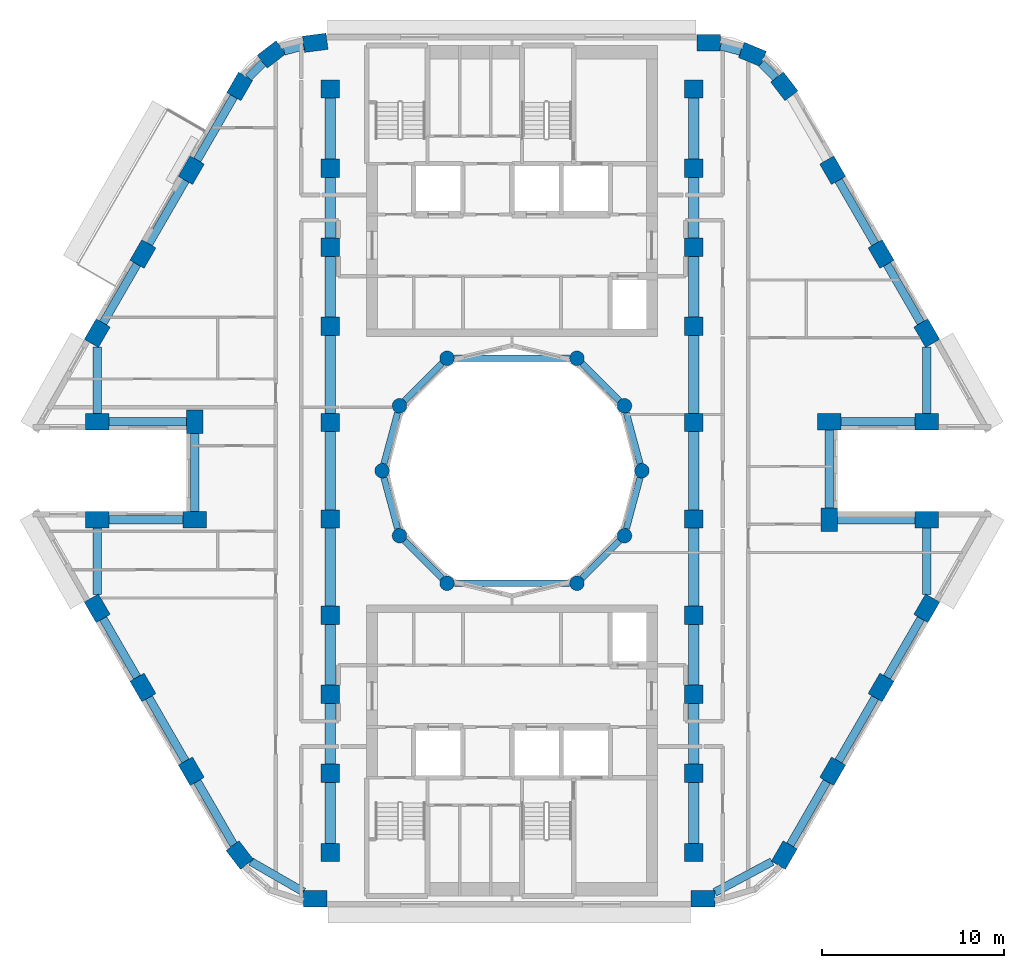
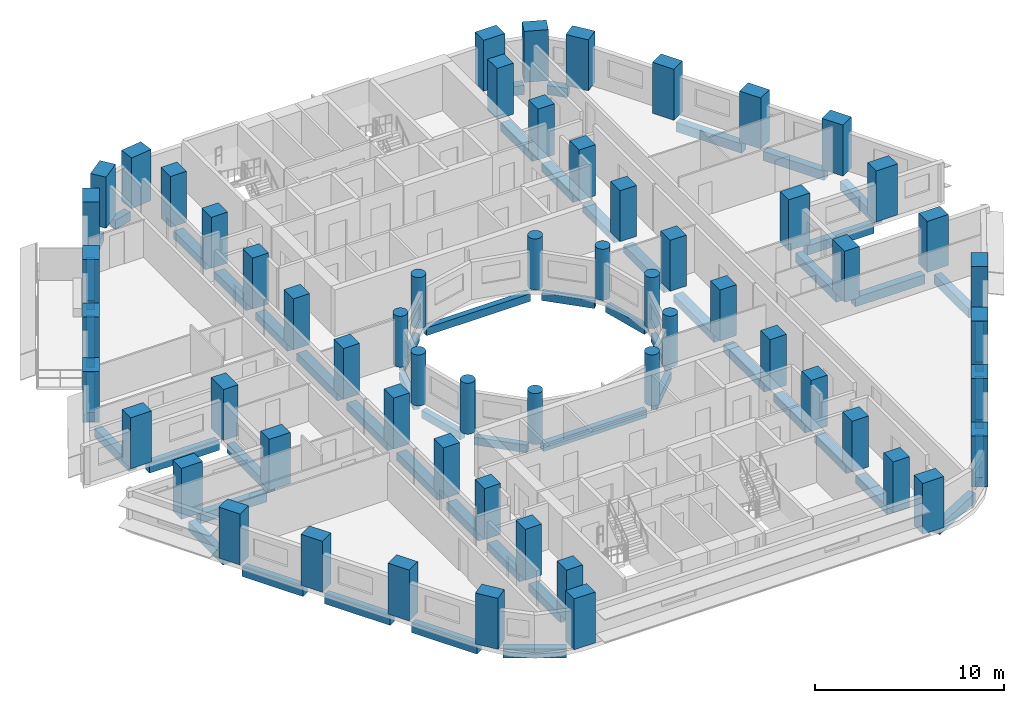
# One storey, part 1 of 13: 60 columns, 55 beams.
"""IFC4 building model written with IfcOpenShell, lengths in metres."""

from ifc_helpers import new_model, si_unit, direction, frame, origin, origin_2d, place, context, subcontext, project, spatial, rectangle, circle, extrude, material, material_profile, profile_set, type_object, element, save


model = new_model("IFC4")

# Units and contexts
model_context = context("Model", 3, precision=1e-05, world=origin(), true_north=direction((0.0, 1.0)))
body_context = subcontext(model_context, "Body", "Model", "MODEL_VIEW")
ifc_project = project(units=[si_unit("LENGTHUNIT", "METRE"), si_unit("AREAUNIT", "SQUARE_METRE"), si_unit("VOLUMEUNIT", "CUBIC_METRE"), si_unit("PLANEANGLEUNIT", "RADIAN"), si_unit("MASSUNIT", "GRAM", prefix="KILO")], contexts=[model_context])

# Site, building, storey
site_placement = place(None, origin())
site = spatial("IfcSite", under=ifc_project, at=site_placement, CompositionType="ELEMENT")
building_placement = place(site_placement, origin())
building = spatial("IfcBuilding", under=site, at=building_placement, Name="Nakaniwa Court", CompositionType="ELEMENT")
storey_placement = place(building_placement, frame((0.0, 0.0, 143.699951171875)))
storey = spatial("IfcBuildingStorey", under=building, at=storey_placement, Name="L37", CompositionType="ELEMENT", Elevation=143.699951171875)

# Columns
ifc_material = material(Name="Concrete C80/100", Category="concrete")
ifc_material_profile_1 = material_profile(ifc_material, rectangle(XDim=1.0, YDim=1.0, at=origin_2d()), Name="Concrete C80/100 RC 1000x1000 spine column")
ifc_profile_set_1 = profile_set([ifc_material_profile_1], Name="Concrete C80/100")
column_type_1 = type_object("IfcColumnType", Name="Concrete C80/100 RC 1000x1000 spine column", PredefinedType="COLUMN", material=ifc_profile_set_1)
for number, where, z_axis, x_axis, name in (
    (1, (90.0, 59.0, 0.0), (0.0, 0.0, 1.0), (0.0, 1.0, 0.0), "COLUMN CS-01"),
    (2, (90.0, 63.35009765625, 0.0), (0.0, 0.0, 1.0), (0.0, 1.0, 0.0), "COLUMN CS-02"),
    (3, (90.0, 67.699951171875, 0.0), (0.0, 0.0, 1.0), (0.0, 1.0, 0.0), "COLUMN CS-03"),
    (4, (90.0, 72.050048828125, 0.0), (0.0, 0.0, 1.0), (0.0, 1.0, 0.0), "COLUMN CS-04"),
    (5, (90.0, 77.35009765625, 0.0), (0.0, 0.0, 1.0), (0.0, 1.0, 0.0), "COLUMN CS-05"),
    (6, (90.0, 82.64990234375, 0.0), (0.0, 0.0, 1.0), (0.0, 1.0, 0.0), "COLUMN CS-06"),
    (7, (90.0, 87.949951171875, 0.0), (0.0, 0.0, 1.0), (0.0, 1.0, 0.0), "COLUMN CS-07"),
    (8, (90.0, 92.300048828125, 0.0), (0.0, 0.0, 1.0), (0.0, 1.0, 0.0), "COLUMN CS-08"),
    (9, (90.0, 96.64990234375, 0.0), (0.0, 0.0, 1.0), (0.0, 1.0, 0.0), "COLUMN CS-09"),
    (10, (90.0, 101.0, 0.0), (0.0, 0.0, 1.0), (0.0, 1.0, 0.0), "COLUMN CS-10"),
    (11, (70.0, 101.0, 0.0), (0.0, 0.0, 1.0), (0.0, -1.0, 0.0), "COLUMN CS-11"),
    (12, (70.0, 96.64990234375, 0.0), (0.0, 0.0, 1.0), (0.0, -1.0, 0.0), "COLUMN CS-12"),
    (13, (70.0, 92.300048828125, 0.0), (0.0, 0.0, 1.0), (0.0, -1.0, 0.0), "COLUMN CS-13"),
    (14, (70.0, 87.949951171875, 0.0), (0.0, 0.0, 1.0), (0.0, -1.0, 0.0), "COLUMN CS-14"),
    (15, (70.0, 82.64990234375, 0.0), (0.0, 0.0, 1.0), (0.0, -1.0, 0.0), "COLUMN CS-15"),
    (16, (70.0, 77.35009765625, 0.0), (0.0, 0.0, 1.0), (0.0, -1.0, 0.0), "COLUMN CS-16"),
    (17, (70.0, 72.050048828125, 0.0), (0.0, 0.0, 1.0), (0.0, -1.0, 0.0), "COLUMN CS-17"),
    (18, (70.0, 67.699951171875, 0.0), (0.0, 0.0, 1.0), (0.0, -1.0, 0.0), "COLUMN CS-18"),
    (19, (70.0, 63.35009765625, 0.0), (0.0, 0.0, 1.0), (0.0, -1.0, 0.0), "COLUMN CS-19"),
    (20, (70.0, 59.0, 0.0), (0.0, 0.0, 1.0), (0.0, -1.0, 0.0), "COLUMN CS-20"),
):
    element("IfcColumn", number, at=place(storey_placement, frame(where, z_axis=z_axis, x_axis=x_axis)), inside=storey, type_object=column_type_1, Name=name, PredefinedType="COLUMN", context=body_context, shape_type="SweptSolid", body=[
        extrude(rectangle(XDim=1.0, YDim=1.0, at=origin_2d()), origin(), (0.0, 0.0, 1.0), 3.300048828125),
    ])
ifc_material_profile_2 = material_profile(ifc_material, rectangle(XDim=1.300048828125, YDim=0.89990234375, at=origin_2d()), Name="Concrete C80/100 RC 1300x900 perimeter column")
ifc_profile_set_2 = profile_set([ifc_material_profile_2], Name="Concrete C80/100")
column_type_2 = type_object("IfcColumnType", Name="Concrete C80/100 RC 1300x900 perimeter column", PredefinedType="COLUMN", material=ifc_profile_set_2)
for number, where, z_axis, x_axis, name in (
    (21, (69.17529296875, 103.550048828125, 0.0), (0.0, 0.0, 1.0), (-0.991442583111, -0.130543496177, 0.0), "COLUMN CO-01"),
    (22, (66.772705078125, 102.91015625, 0.0), (0.0, 0.0, 1.0), (-0.793363965062, -0.608747582288, 0.0), "COLUMN CO-02"),
    (23, (65.017578125, 101.1494140625, 0.0), (0.0, 0.0, 1.0), (-0.5, -0.866025403784, 0.0), "COLUMN CO-03"),
    (24, (62.3544921875, 96.537109375, 0.0), (0.0, 0.0, 1.0), (-0.5, -0.866025403784, 0.0), "COLUMN CO-04"),
    (25, (59.691650390625, 91.9248046875, 0.0), (0.0, 0.0, 1.0), (-0.5, -0.866025403784, 0.0), "COLUMN CO-05"),
    (26, (57.177001953125, 87.569580078125, 0.0), (0.0, 0.0, 1.0), (-0.5, -0.866025403784, 0.0), "COLUMN CO-06"),
    (27, (57.177001953125, 82.699951171875, 0.0), (0.0, 0.0, 1.0), (1.0, 0.0, 0.0), "COLUMN CO-08"),
    (28, (62.54150390625, 82.699951171875, 0.0), (0.0, 0.0, 1.0), (0.0, -1.0, 0.0), "COLUMN CO-09"),
    (29, (62.54150390625, 77.300048828125, 0.0), (0.0, 0.0, 1.0), (-1.0, 0.0, 0.0), "COLUMN CO-10"),
    (30, (57.177001953125, 77.300048828125, 0.0), (0.0, 0.0, 1.0), (-1.0, 0.0, 0.0), "COLUMN CO-11"),
    (31, (57.177001953125, 72.430419921875, 0.0), (0.0, 0.0, 1.0), (0.5, -0.866025403784, 0.0), "COLUMN CO-13"),
    (32, (59.691650390625, 68.0751953125, 0.0), (0.0, 0.0, 1.0), (0.5, -0.866025403784, 0.0), "COLUMN CO-14"),
    (33, (62.3544921875, 63.462890625, 0.0), (0.0, 0.0, 1.0), (0.5, -0.866025403784, 0.0), "COLUMN CO-15"),
    (34, (65.017578125, 58.8505859375, 0.0), (0.0, 0.0, 1.0), (0.608761429009, -0.793353340291, 0.0), "COLUMN CO-16"),
    (35, (69.17529296875, 56.449951171875, 0.0), (0.0, 0.0, 1.0), (1.0, 0.0, 0.0), "COLUMN CO-17"),
    (36, (90.507080078125, 56.449951171875, 0.0), (0.0, 0.0, 1.0), (1.0, 0.0, 0.0), "COLUMN CO-21"),
    (37, (94.982421875, 58.8505859375, 0.0), (0.0, 0.0, 1.0), (0.5, 0.866025403784, 0.0), "COLUMN CO-22"),
    (38, (97.6455078125, 63.462890625, 0.0), (0.0, 0.0, 1.0), (0.5, 0.866025403784, 0.0), "COLUMN CO-23"),
    (39, (100.308349609375, 68.0751953125, 0.0), (0.0, 0.0, 1.0), (0.5, 0.866025403784, 0.0), "COLUMN CO-24"),
    (40, (102.822998046875, 72.430419921875, 0.0), (0.0, 0.0, 1.0), (0.5, 0.866025403784, 0.0), "COLUMN CO-25"),
    (41, (102.822998046875, 77.300048828125, 0.0), (0.0, 0.0, 1.0), (-1.0, 0.0, 0.0), "COLUMN CO-27"),
    (42, (97.45849609375, 77.300048828125, 0.0), (0.0, 0.0, 1.0), (0.0, 1.0, 0.0), "COLUMN CO-28"),
    (43, (97.45849609375, 82.699951171875, 0.0), (0.0, 0.0, 1.0), (1.0, 0.0, 0.0), "COLUMN CO-29"),
    (44, (102.822998046875, 82.699951171875, 0.0), (0.0, 0.0, 1.0), (1.0, 0.0, 0.0), "COLUMN CO-30"),
    (45, (102.822998046875, 87.569580078125, 0.0), (0.0, 0.0, 1.0), (-0.5, 0.866025403784, 0.0), "COLUMN CO-32"),
    (46, (100.308349609375, 91.9248046875, 0.0), (0.0, 0.0, 1.0), (-0.5, 0.866025403784, 0.0), "COLUMN CO-33"),
    (47, (97.6455078125, 96.537109375, 0.0), (0.0, 0.0, 1.0), (-0.5, 0.866025403784, 0.0), "COLUMN CO-34"),
    (48, (94.982421875, 101.1494140625, 0.0), (0.0, 0.0, 1.0), (-0.608761429009, 0.793353340291, 0.0), "COLUMN CO-35"),
    (49, (93.227294921875, 102.91015625, 0.0), (0.0, 0.0, 1.0), (-0.923879532511, 0.382683432365, 0.0), "COLUMN CO-36"),
    (50, (90.82470703125, 103.550048828125, 0.0), (0.0, 0.0, 1.0), (-1.0, 0.0, 0.0), "COLUMN CO-37"),
):
    element("IfcColumn", number, at=place(storey_placement, frame(where, z_axis=z_axis, x_axis=x_axis)), inside=storey, type_object=column_type_2, Name=name, PredefinedType="COLUMN", context=body_context, shape_type="SweptSolid", body=[
        extrude(rectangle(XDim=1.300048828125, YDim=0.89990234375, at=origin_2d()), origin(), (0.0, 0.0, 1.0), 3.300048828125),
    ])
ifc_material_profile_3 = material_profile(ifc_material, circle(Radius=0.39990234375, at=origin_2d()), Name="Concrete C80/100 RC D800 inner ring column")
ifc_profile_set_3 = profile_set([ifc_material_profile_3], Name="Concrete C80/100")
column_type_3 = type_object("IfcColumnType", Name="Concrete C80/100 RC D800 inner ring column", PredefinedType="COLUMN", material=ifc_profile_set_3)
for number, where, z_axis, x_axis, name in (
    (51, (87.14990234375, 80.0, 0.0), (0.0, 0.0, 1.0), (0.0, 1.0, 0.0), "COLUMN CI-01"),
    (52, (86.192138671875, 83.574951171875, 0.0), (0.0, 0.0, 1.0), (-0.5, 0.866025403784, 0.0), "COLUMN CI-02"),
    (53, (83.574951171875, 86.192138671875, 0.0), (0.0, 0.0, 1.0), (-0.866025403784, 0.5, 0.0), "COLUMN CI-03"),
    (54, (76.425048828125, 86.192138671875, 0.0), (0.0, 0.0, 1.0), (-0.866025403784, -0.5, 0.0), "COLUMN CI-05"),
    (55, (73.807861328125, 83.574951171875, 0.0), (0.0, 0.0, 1.0), (-0.5, -0.866025403784, 0.0), "COLUMN CI-06"),
    (56, (72.85009765625, 80.0, 0.0), (0.0, 0.0, 1.0), (0.0, -1.0, 0.0), "COLUMN CI-07"),
    (57, (73.807861328125, 76.425048828125, 0.0), (0.0, 0.0, 1.0), (0.5, -0.866025403784, 0.0), "COLUMN CI-08"),
    (58, (76.425048828125, 73.807861328125, 0.0), (0.0, 0.0, 1.0), (0.866025403784, -0.5, 0.0), "COLUMN CI-09"),
    (59, (83.574951171875, 73.807861328125, 0.0), (0.0, 0.0, 1.0), (0.866025403784, 0.5, 0.0), "COLUMN CI-11"),
    (60, (86.192138671875, 76.425048828125, 0.0), (0.0, 0.0, 1.0), (0.5, 0.866025403784, 0.0), "COLUMN CI-12"),
):
    element("IfcColumn", number, at=place(storey_placement, frame(where, z_axis=z_axis, x_axis=x_axis)), inside=storey, type_object=column_type_3, Name=name, PredefinedType="COLUMN", context=body_context, shape_type="SweptSolid", body=[
        extrude(circle(Radius=0.39990234375, at=origin_2d()), origin(), (0.0, 0.0, 1.0), 3.300048828125),
    ])

# Beams
ifc_material_profile_4 = material_profile(ifc_material, rectangle(XDim=0.35009765625, YDim=0.5, at=origin_2d()), Name="Concrete C80/100 RC 350x500 ring beam")
ifc_profile_set_4 = profile_set([ifc_material_profile_4], Name="Concrete C80/100")
beam_type_1 = type_object("IfcBeamType", Name="Concrete C80/100 RC 350x500 ring beam", PredefinedType="BEAM", material=ifc_profile_set_4)
beam_1_placement = place(storey_placement, frame((87.04638671875, 80.386474609375, -0.52490234375), z_axis=(-0.258778150207, 0.965936783115, 0.0), x_axis=(-0.965936783115, -0.258778150207, 0.0)))
element("IfcBeam", 61, at=beam_1_placement, inside=storey, type_object=beam_type_1, Name="RING BEAM", PredefinedType="BEAM", context=body_context, shape_type="SweptSolid", body=[
    extrude(rectangle(XDim=0.35009765625, YDim=0.5, at=origin_2d()), origin(), (0.0, 0.0, 1.0), 2.901123046875),
])
beam_2_placement = place(storey_placement, frame((85.9091796875, 83.85791015625, -0.52490234375), z_axis=(-0.707106781187, 0.707106781187, 0.0), x_axis=(-0.707106781187, -0.707106781187, 0.0)))
element("IfcBeam", 62, at=beam_2_placement, inside=storey, type_object=beam_type_1, Name="RING BEAM", PredefinedType="BEAM", context=body_context, shape_type="SweptSolid", body=[
    extrude(rectangle(XDim=0.35009765625, YDim=0.5, at=origin_2d()), origin(), (0.0, 0.0, 1.0), 2.90087890625),
])
beam_3_placement = place(storey_placement, frame((83.175048828125, 86.192138671875, -0.52490234375), z_axis=(-1.0, 0.0, 0.0), x_axis=(0.0, -1.0, 0.0)))
element("IfcBeam", 63, at=beam_3_placement, inside=storey, type_object=beam_type_1, Name="RING BEAM", PredefinedType="BEAM", context=body_context, shape_type="SweptSolid", body=[
    extrude(rectangle(XDim=0.35009765625, YDim=0.5, at=origin_2d()), origin(), (0.0, 0.0, 1.0), 6.35009765625),
])
beam_4_placement = place(storey_placement, frame((76.14208984375, 85.9091796875, -0.52490234375), z_axis=(-0.707106781187, -0.707106781187, 0.0), x_axis=(0.707106781187, -0.707106781187, 0.0)))
element("IfcBeam", 64, at=beam_4_placement, inside=storey, type_object=beam_type_1, Name="RING BEAM", PredefinedType="BEAM", context=body_context, shape_type="SweptSolid", body=[
    extrude(rectangle(XDim=0.35009765625, YDim=0.5, at=origin_2d()), origin(), (0.0, 0.0, 1.0), 2.90087890625),
])
for number, where, z_axis, x_axis, name in (
    (65, (73.704345703125, 83.188720703125, -0.52490234375), (-0.258778150207, -0.965936783115, 0.0), (0.965936783115, -0.258778150207, 0.0), "RING BEAM"),
    (66, (72.95361328125, 79.613525390625, -0.52490234375), (0.258778150207, -0.965936783115, 0.0), (0.965936783115, 0.258778150207, 0.0), "RING BEAM"),
):
    element("IfcBeam", number, at=place(storey_placement, frame(where, z_axis=z_axis, x_axis=x_axis)), inside=storey, type_object=beam_type_1, Name=name, PredefinedType="BEAM", context=body_context, shape_type="SweptSolid", body=[
        extrude(rectangle(XDim=0.35009765625, YDim=0.5, at=origin_2d()), origin(), (0.0, 0.0, 1.0), 2.901123046875),
    ])
beam_5_placement = place(storey_placement, frame((74.0908203125, 76.14208984375, -0.52490234375), z_axis=(0.707106781187, -0.707106781187, 0.0), x_axis=(0.707106781187, 0.707106781187, 0.0)))
element("IfcBeam", 67, at=beam_5_placement, inside=storey, type_object=beam_type_1, Name="RING BEAM", PredefinedType="BEAM", context=body_context, shape_type="SweptSolid", body=[
    extrude(rectangle(XDim=0.35009765625, YDim=0.5, at=origin_2d()), origin(), (0.0, 0.0, 1.0), 2.90087890625),
])
beam_6_placement = place(storey_placement, frame((76.824951171875, 73.807861328125, -0.52490234375), z_axis=(1.0, 0.0, 0.0), x_axis=(0.0, 1.0, 0.0)))
element("IfcBeam", 68, at=beam_6_placement, inside=storey, type_object=beam_type_1, Name="RING BEAM", PredefinedType="BEAM", context=body_context, shape_type="SweptSolid", body=[
    extrude(rectangle(XDim=0.35009765625, YDim=0.5, at=origin_2d()), origin(), (0.0, 0.0, 1.0), 6.35009765625),
])
beam_7_placement = place(storey_placement, frame((83.85791015625, 74.0908203125, -0.52490234375), z_axis=(0.707106781187, 0.707106781187, 0.0), x_axis=(-0.707106781187, 0.707106781187, 0.0)))
element("IfcBeam", 69, at=beam_7_placement, inside=storey, type_object=beam_type_1, Name="RING BEAM", PredefinedType="BEAM", context=body_context, shape_type="SweptSolid", body=[
    extrude(rectangle(XDim=0.35009765625, YDim=0.5, at=origin_2d()), origin(), (0.0, 0.0, 1.0), 2.90087890625),
])
beam_8_placement = place(storey_placement, frame((86.295654296875, 76.811279296875, -0.52490234375), z_axis=(0.258778150207, 0.965936783115, 0.0), x_axis=(-0.965936783115, 0.258778150207, 0.0)))
element("IfcBeam", 70, at=beam_8_placement, inside=storey, type_object=beam_type_1, Name="RING BEAM", PredefinedType="BEAM", context=body_context, shape_type="SweptSolid", body=[
    extrude(rectangle(XDim=0.35009765625, YDim=0.5, at=origin_2d()), origin(), (0.0, 0.0, 1.0), 2.901123046875),
])
ifc_material_profile_5 = material_profile(ifc_material, rectangle(XDim=0.449951171875, YDim=0.60009765625, at=origin_2d()), Name="Concrete C80/100 RC 450x600 spandrel beam")
ifc_profile_set_5 = profile_set([ifc_material_profile_5], Name="Concrete C80/100")
beam_type_2 = type_object("IfcBeamType", Name="Concrete C80/100 RC 450x600 spandrel beam", PredefinedType="BEAM", material=ifc_profile_set_5)
beam_9_placement = place(storey_placement, frame((68.5419921875, 103.38134765625, -0.574951171875), z_axis=(-0.966321172043, -0.257339061284, 0.0), x_axis=(0.257339061284, -0.966321172043, 0.0)))
element("IfcBeam", 71, at=beam_9_placement, inside=storey, type_object=beam_type_2, Name="SPANDREL BEAM", PredefinedType="BEAM", context=body_context, shape_type="SweptSolid", body=[
    extrude(rectangle(XDim=0.449951171875, YDim=0.60009765625, at=origin_2d()), origin(), (0.0, 0.0, 1.0), 1.126953125),
])
beam_10_placement = place(storey_placement, frame((66.309814453125, 102.44580078125, -0.574951171875), z_axis=(-0.706051557188, -0.708160432807, 0.0), x_axis=(0.708160432807, -0.706051557188, 0.0)))
element("IfcBeam", 72, at=beam_10_placement, inside=storey, type_object=beam_type_2, Name="SPANDREL BEAM", PredefinedType="BEAM", context=body_context, shape_type="SweptSolid", body=[
    extrude(rectangle(XDim=0.449951171875, YDim=0.60009765625, at=origin_2d()), origin(), (0.0, 0.0, 1.0), 1.15771484375),
])
for number, where, z_axis, x_axis, name in (
    (73, (64.6923828125, 100.586669921875, -0.574951171875), (-0.499993669216, -0.866029058833, 0.0), (0.866029058833, -0.499993669216, 0.0), "SPANDREL BEAM"),
    (74, (62.029541015625, 95.97412109375, -0.574951171875), (-0.499993669216, -0.866029058833, 0.0), (0.866029058833, -0.499993669216, 0.0), "SPANDREL BEAM"),
):
    element("IfcBeam", number, at=place(storey_placement, frame(where, z_axis=z_axis, x_axis=x_axis)), inside=storey, type_object=beam_type_2, Name=name, PredefinedType="BEAM", context=body_context, shape_type="SweptSolid", body=[
        extrude(rectangle(XDim=0.449951171875, YDim=0.60009765625, at=origin_2d()), origin(), (0.0, 0.0, 1.0), 4.02587890625),
    ])
beam_11_placement = place(storey_placement, frame((59.36669921875, 91.36181640625, -0.574951171875), z_axis=(-0.50001905207, -0.866014403787, 0.0), x_axis=(0.866014403787, -0.50001905207, 0.0)))
element("IfcBeam", 75, at=beam_11_placement, inside=storey, type_object=beam_type_2, Name="SPANDREL BEAM", PredefinedType="BEAM", context=body_context, shape_type="SweptSolid", body=[
    extrude(rectangle(XDim=0.449951171875, YDim=0.60009765625, at=origin_2d()), origin(), (0.0, 0.0, 1.0), 3.728759765625),
])
beam_12_placement = place(storey_placement, frame((57.177001953125, 86.819091796875, -0.574951171875), z_axis=(0.0, -1.0, 0.0), x_axis=(1.0, 0.0, 0.0)))
element("IfcBeam", 76, at=beam_12_placement, inside=storey, type_object=beam_type_2, Name="SPANDREL BEAM", PredefinedType="BEAM", context=body_context, shape_type="SweptSolid", body=[
    extrude(rectangle(XDim=0.449951171875, YDim=0.60009765625, at=origin_2d()), origin(), (0.0, 0.0, 1.0), 3.669189453125),
])
beam_13_placement = place(storey_placement, frame((57.8271484375, 82.699951171875, -0.574951171875), z_axis=(1.0, 0.0, 0.0), x_axis=(0.0, 1.0, 0.0)))
element("IfcBeam", 77, at=beam_13_placement, inside=storey, type_object=beam_type_2, Name="SPANDREL BEAM", PredefinedType="BEAM", context=body_context, shape_type="SweptSolid", body=[
    extrude(rectangle(XDim=0.449951171875, YDim=0.60009765625, at=origin_2d()), origin(), (0.0, 0.0, 1.0), 4.264404296875),
])
beam_14_placement = place(storey_placement, frame((62.54150390625, 82.050048828125, -0.574951171875), z_axis=(0.0, -1.0, 0.0), x_axis=(1.0, 0.0, 0.0)))
element("IfcBeam", 78, at=beam_14_placement, inside=storey, type_object=beam_type_2, Name="SPANDREL BEAM", PredefinedType="BEAM", context=body_context, shape_type="SweptSolid", body=[
    extrude(rectangle(XDim=0.449951171875, YDim=0.60009765625, at=origin_2d()), origin(), (0.0, 0.0, 1.0), 4.300048828125),
])
beam_15_placement = place(storey_placement, frame((61.8916015625, 77.300048828125, -0.574951171875), z_axis=(-1.0, 0.0, 0.0), x_axis=(0.0, -1.0, 0.0)))
element("IfcBeam", 79, at=beam_15_placement, inside=storey, type_object=beam_type_2, Name="SPANDREL BEAM", PredefinedType="BEAM", context=body_context, shape_type="SweptSolid", body=[
    extrude(rectangle(XDim=0.449951171875, YDim=0.60009765625, at=origin_2d()), origin(), (0.0, 0.0, 1.0), 4.064453125),
])
beam_16_placement = place(storey_placement, frame((57.177001953125, 76.85009765625, -0.574951171875), z_axis=(0.0, -1.0, 0.0), x_axis=(1.0, 0.0, 0.0)))
element("IfcBeam", 80, at=beam_16_placement, inside=storey, type_object=beam_type_2, Name="SPANDREL BEAM", PredefinedType="BEAM", context=body_context, shape_type="SweptSolid", body=[
    extrude(rectangle(XDim=0.449951171875, YDim=0.60009765625, at=origin_2d()), origin(), (0.0, 0.0, 1.0), 3.669189453125),
])
beam_17_placement = place(storey_placement, frame((57.502197265625, 71.867431640625, -0.574951171875), z_axis=(0.50001905207, -0.866014403787, 0.0), x_axis=(0.866014403787, 0.50001905207, 0.0)))
element("IfcBeam", 81, at=beam_17_placement, inside=storey, type_object=beam_type_2, Name="SPANDREL BEAM", PredefinedType="BEAM", context=body_context, shape_type="SweptSolid", body=[
    extrude(rectangle(XDim=0.449951171875, YDim=0.60009765625, at=origin_2d()), origin(), (0.0, 0.0, 1.0), 3.728759765625),
])
beam_18_placement = place(storey_placement, frame((60.0166015625, 67.512451171875, -0.574951171875), z_axis=(0.499993669216, -0.866029058833, 0.0), x_axis=(0.866029058833, 0.499993669216, 0.0)))
element("IfcBeam", 82, at=beam_18_placement, inside=storey, type_object=beam_type_2, Name="SPANDREL BEAM", PredefinedType="BEAM", context=body_context, shape_type="SweptSolid", body=[
    extrude(rectangle(XDim=0.449951171875, YDim=0.60009765625, at=origin_2d()), origin(), (0.0, 0.0, 1.0), 4.02587890625),
])
beam_19_placement = place(storey_placement, frame((62.679443359375, 62.89990234375, -0.574951171875), z_axis=(0.500018573463, -0.866014680125, 0.0), x_axis=(0.866014680125, 0.500018573463, 0.0)))
element("IfcBeam", 83, at=beam_19_placement, inside=storey, type_object=beam_type_2, Name="SPANDREL BEAM", PredefinedType="BEAM", context=body_context, shape_type="SweptSolid", body=[
    extrude(rectangle(XDim=0.449951171875, YDim=0.60009765625, at=origin_2d()), origin(), (0.0, 0.0, 1.0), 4.020263671875),
])
beam_20_placement = place(storey_placement, frame((65.626708984375, 58.498779296875, -0.574951171875), z_axis=(0.866021605644, -0.500006578514, 0.0), x_axis=(0.500006578514, 0.866021605644, 0.0)))
element("IfcBeam", 84, at=beam_20_placement, inside=storey, type_object=beam_type_2, Name="SPANDREL BEAM", PredefinedType="BEAM", context=body_context, shape_type="SweptSolid", body=[
    extrude(rectangle(XDim=0.449951171875, YDim=0.60009765625, at=origin_2d()), origin(), (0.0, 0.0, 1.0), 3.34716796875),
])
beam_21_placement = place(storey_placement, frame((91.156982421875, 56.798583984375, -0.574951171875), z_axis=(0.881239336512, 0.472670320397, 0.0), x_axis=(-0.472670320397, 0.881239336512, 0.0)))
element("IfcBeam", 85, at=beam_21_placement, inside=storey, type_object=beam_type_2, Name="SPANDREL BEAM", PredefinedType="BEAM", context=body_context, shape_type="SweptSolid", body=[
    extrude(rectangle(XDim=0.449951171875, YDim=0.60009765625, at=origin_2d()), origin(), (0.0, 0.0, 1.0), 3.576416015625),
])
for number, where, z_axis, x_axis, name in (
    (86, (95.3076171875, 59.413330078125, -0.574951171875), (0.499993669216, 0.866029058833, 0.0), (-0.866029058833, 0.499993669216, 0.0), "SPANDREL BEAM"),
    (87, (97.970458984375, 64.02587890625, -0.574951171875), (0.499993669216, 0.866029058833, 0.0), (-0.866029058833, 0.499993669216, 0.0), "SPANDREL BEAM"),
):
    element("IfcBeam", number, at=place(storey_placement, frame(where, z_axis=z_axis, x_axis=x_axis)), inside=storey, type_object=beam_type_2, Name=name, PredefinedType="BEAM", context=body_context, shape_type="SweptSolid", body=[
        extrude(rectangle(XDim=0.449951171875, YDim=0.60009765625, at=origin_2d()), origin(), (0.0, 0.0, 1.0), 4.02587890625),
    ])
beam_22_placement = place(storey_placement, frame((100.63330078125, 68.63818359375, -0.574951171875), z_axis=(0.50001905207, 0.866014403787, 0.0), x_axis=(-0.866014403787, 0.50001905207, 0.0)))
element("IfcBeam", 88, at=beam_22_placement, inside=storey, type_object=beam_type_2, Name="SPANDREL BEAM", PredefinedType="BEAM", context=body_context, shape_type="SweptSolid", body=[
    extrude(rectangle(XDim=0.449951171875, YDim=0.60009765625, at=origin_2d()), origin(), (0.0, 0.0, 1.0), 3.728759765625),
])
beam_23_placement = place(storey_placement, frame((102.822998046875, 73.180908203125, -0.574951171875), z_axis=(0.0, 1.0, 0.0), x_axis=(-1.0, 0.0, 0.0)))
element("IfcBeam", 89, at=beam_23_placement, inside=storey, type_object=beam_type_2, Name="SPANDREL BEAM", PredefinedType="BEAM", context=body_context, shape_type="SweptSolid", body=[
    extrude(rectangle(XDim=0.449951171875, YDim=0.60009765625, at=origin_2d()), origin(), (0.0, 0.0, 1.0), 3.669189453125),
])
beam_24_placement = place(storey_placement, frame((102.1728515625, 77.300048828125, -0.574951171875), z_axis=(-1.0, 0.0, 0.0), x_axis=(0.0, -1.0, 0.0)))
element("IfcBeam", 90, at=beam_24_placement, inside=storey, type_object=beam_type_2, Name="SPANDREL BEAM", PredefinedType="BEAM", context=body_context, shape_type="SweptSolid", body=[
    extrude(rectangle(XDim=0.449951171875, YDim=0.60009765625, at=origin_2d()), origin(), (0.0, 0.0, 1.0), 4.264404296875),
])
beam_25_placement = place(storey_placement, frame((97.45849609375, 77.949951171875, -0.574951171875), z_axis=(0.0, 1.0, 0.0), x_axis=(-1.0, 0.0, 0.0)))
element("IfcBeam", 91, at=beam_25_placement, inside=storey, type_object=beam_type_2, Name="SPANDREL BEAM", PredefinedType="BEAM", context=body_context, shape_type="SweptSolid", body=[
    extrude(rectangle(XDim=0.449951171875, YDim=0.60009765625, at=origin_2d()), origin(), (0.0, 0.0, 1.0), 4.300048828125),
])
beam_26_placement = place(storey_placement, frame((98.1083984375, 82.699951171875, -0.574951171875), z_axis=(1.0, 0.0, 0.0), x_axis=(0.0, 1.0, 0.0)))
element("IfcBeam", 92, at=beam_26_placement, inside=storey, type_object=beam_type_2, Name="SPANDREL BEAM", PredefinedType="BEAM", context=body_context, shape_type="SweptSolid", body=[
    extrude(rectangle(XDim=0.449951171875, YDim=0.60009765625, at=origin_2d()), origin(), (0.0, 0.0, 1.0), 4.064453125),
])
beam_27_placement = place(storey_placement, frame((102.822998046875, 83.14990234375, -0.574951171875), z_axis=(0.0, 1.0, 0.0), x_axis=(-1.0, 0.0, 0.0)))
element("IfcBeam", 93, at=beam_27_placement, inside=storey, type_object=beam_type_2, Name="SPANDREL BEAM", PredefinedType="BEAM", context=body_context, shape_type="SweptSolid", body=[
    extrude(rectangle(XDim=0.449951171875, YDim=0.60009765625, at=origin_2d()), origin(), (0.0, 0.0, 1.0), 3.669189453125),
])
beam_28_placement = place(storey_placement, frame((102.497802734375, 88.132568359375, -0.574951171875), z_axis=(-0.50001905207, 0.866014403787, 0.0), x_axis=(-0.866014403787, -0.50001905207, 0.0)))
element("IfcBeam", 94, at=beam_28_placement, inside=storey, type_object=beam_type_2, Name="SPANDREL BEAM", PredefinedType="BEAM", context=body_context, shape_type="SweptSolid", body=[
    extrude(rectangle(XDim=0.449951171875, YDim=0.60009765625, at=origin_2d()), origin(), (0.0, 0.0, 1.0), 3.728759765625),
])
beam_29_placement = place(storey_placement, frame((99.9833984375, 92.487548828125, -0.574951171875), z_axis=(-0.499993669216, 0.866029058833, 0.0), x_axis=(-0.866029058833, -0.499993669216, 0.0)))
element("IfcBeam", 95, at=beam_29_placement, inside=storey, type_object=beam_type_2, Name="SPANDREL BEAM", PredefinedType="BEAM", context=body_context, shape_type="SweptSolid", body=[
    extrude(rectangle(XDim=0.449951171875, YDim=0.60009765625, at=origin_2d()), origin(), (0.0, 0.0, 1.0), 4.02587890625),
])
beam_30_placement = place(storey_placement, frame((94.519775390625, 101.61376953125, -0.574951171875), z_axis=(-0.706022429805, 0.708189472254, 0.0), x_axis=(-0.708189472254, -0.706022429805, 0.0)))
element("IfcBeam", 96, at=beam_30_placement, inside=storey, type_object=beam_type_2, Name="SPANDREL BEAM", PredefinedType="BEAM", context=body_context, shape_type="SweptSolid", body=[
    extrude(rectangle(XDim=0.449951171875, YDim=0.60009765625, at=origin_2d()), origin(), (0.0, 0.0, 1.0), 1.126708984375),
])
beam_31_placement = place(storey_placement, frame((92.593505859375, 103.078857421875, -0.574951171875), z_axis=(-0.966294404875, 0.257439552335, 0.0), x_axis=(-0.257439552335, -0.966294404875, 0.0)))
element("IfcBeam", 97, at=beam_31_placement, inside=storey, type_object=beam_type_2, Name="SPANDREL BEAM", PredefinedType="BEAM", context=body_context, shape_type="SweptSolid", body=[
    extrude(rectangle(XDim=0.449951171875, YDim=0.60009765625, at=origin_2d()), origin(), (0.0, 0.0, 1.0), 1.157958984375),
])
ifc_material_profile_6 = material_profile(ifc_material, rectangle(XDim=0.60009765625, YDim=0.5, at=origin_2d()), Name="Concrete C80/100 RC 600x500 ring beam")
ifc_profile_set_6 = profile_set([ifc_material_profile_6], Name="Concrete C80/100")
beam_type_3 = type_object("IfcBeamType", Name="Concrete C80/100 RC 600x500 ring beam", PredefinedType="BEAM", material=ifc_profile_set_6)
beam_32_placement = place(storey_placement, frame((90.0, 59.5, -0.52490234375), z_axis=(0.0, 1.0, 0.0), x_axis=(-1.0, 0.0, 0.0)))
element("IfcBeam", 98, at=beam_32_placement, inside=storey, type_object=beam_type_3, Name="RING BEAM", PredefinedType="BEAM", context=body_context, shape_type="SweptSolid", body=[
    extrude(rectangle(XDim=0.60009765625, YDim=0.5, at=origin_2d()), origin(), (0.0, 0.0, 1.0), 3.35009765625),
])
beam_33_placement = place(storey_placement, frame((90.0, 63.85009765625, -0.52490234375), z_axis=(0.0, 1.0, 0.0), x_axis=(-1.0, 0.0, 0.0)))
element("IfcBeam", 99, at=beam_33_placement, inside=storey, type_object=beam_type_3, Name="RING BEAM", PredefinedType="BEAM", context=body_context, shape_type="SweptSolid", body=[
    extrude(rectangle(XDim=0.60009765625, YDim=0.5, at=origin_2d()), origin(), (0.0, 0.0, 1.0), 3.349853515625),
])
beam_34_placement = place(storey_placement, frame((90.0, 68.199951171875, -0.52490234375), z_axis=(0.0, 1.0, 0.0), x_axis=(-1.0, 0.0, 0.0)))
element("IfcBeam", 100, at=beam_34_placement, inside=storey, type_object=beam_type_3, Name="RING BEAM", PredefinedType="BEAM", context=body_context, shape_type="SweptSolid", body=[
    extrude(rectangle(XDim=0.60009765625, YDim=0.5, at=origin_2d()), origin(), (0.0, 0.0, 1.0), 3.35009765625),
])
beam_35_placement = place(storey_placement, frame((90.0, 72.550048828125, -0.52490234375), z_axis=(0.0, 1.0, 0.0), x_axis=(-1.0, 0.0, 0.0)))
element("IfcBeam", 101, at=beam_35_placement, inside=storey, type_object=beam_type_3, Name="RING BEAM", PredefinedType="BEAM", context=body_context, shape_type="SweptSolid", body=[
    extrude(rectangle(XDim=0.60009765625, YDim=0.5, at=origin_2d()), origin(), (0.0, 0.0, 1.0), 4.300048828125),
])
beam_36_placement = place(storey_placement, frame((90.0, 77.85009765625, -0.52490234375), z_axis=(0.0, 1.0, 0.0), x_axis=(-1.0, 0.0, 0.0)))
element("IfcBeam", 102, at=beam_36_placement, inside=storey, type_object=beam_type_3, Name="RING BEAM", PredefinedType="BEAM", context=body_context, shape_type="SweptSolid", body=[
    extrude(rectangle(XDim=0.60009765625, YDim=0.5, at=origin_2d()), origin(), (0.0, 0.0, 1.0), 4.2998046875),
])
beam_37_placement = place(storey_placement, frame((90.0, 83.14990234375, -0.52490234375), z_axis=(0.0, 1.0, 0.0), x_axis=(-1.0, 0.0, 0.0)))
element("IfcBeam", 103, at=beam_37_placement, inside=storey, type_object=beam_type_3, Name="RING BEAM", PredefinedType="BEAM", context=body_context, shape_type="SweptSolid", body=[
    extrude(rectangle(XDim=0.60009765625, YDim=0.5, at=origin_2d()), origin(), (0.0, 0.0, 1.0), 4.300048828125),
])
beam_38_placement = place(storey_placement, frame((90.0, 88.449951171875, -0.52490234375), z_axis=(0.0, 1.0, 0.0), x_axis=(-1.0, 0.0, 0.0)))
element("IfcBeam", 104, at=beam_38_placement, inside=storey, type_object=beam_type_3, Name="RING BEAM", PredefinedType="BEAM", context=body_context, shape_type="SweptSolid", body=[
    extrude(rectangle(XDim=0.60009765625, YDim=0.5, at=origin_2d()), origin(), (0.0, 0.0, 1.0), 3.35009765625),
])
beam_39_placement = place(storey_placement, frame((90.0, 92.800048828125, -0.52490234375), z_axis=(0.0, 1.0, 0.0), x_axis=(-1.0, 0.0, 0.0)))
element("IfcBeam", 105, at=beam_39_placement, inside=storey, type_object=beam_type_3, Name="RING BEAM", PredefinedType="BEAM", context=body_context, shape_type="SweptSolid", body=[
    extrude(rectangle(XDim=0.60009765625, YDim=0.5, at=origin_2d()), origin(), (0.0, 0.0, 1.0), 3.349853515625),
])
for number, where, z_axis, x_axis, name in (
    (106, (90.0, 97.14990234375, -0.52490234375), (0.0, 1.0, 0.0), (-1.0, 0.0, 0.0), "RING BEAM"),
    (107, (70.0, 100.5, -0.52490234375), (0.0, -1.0, 0.0), (1.0, 0.0, 0.0), "RING BEAM"),
):
    element("IfcBeam", number, at=place(storey_placement, frame(where, z_axis=z_axis, x_axis=x_axis)), inside=storey, type_object=beam_type_3, Name=name, PredefinedType="BEAM", context=body_context, shape_type="SweptSolid", body=[
        extrude(rectangle(XDim=0.60009765625, YDim=0.5, at=origin_2d()), origin(), (0.0, 0.0, 1.0), 3.35009765625),
    ])
beam_40_placement = place(storey_placement, frame((70.0, 96.14990234375, -0.52490234375), z_axis=(0.0, -1.0, 0.0), x_axis=(1.0, 0.0, 0.0)))
element("IfcBeam", 108, at=beam_40_placement, inside=storey, type_object=beam_type_3, Name="RING BEAM", PredefinedType="BEAM", context=body_context, shape_type="SweptSolid", body=[
    extrude(rectangle(XDim=0.60009765625, YDim=0.5, at=origin_2d()), origin(), (0.0, 0.0, 1.0), 3.349853515625),
])
beam_41_placement = place(storey_placement, frame((70.0, 91.800048828125, -0.52490234375), z_axis=(0.0, -1.0, 0.0), x_axis=(1.0, 0.0, 0.0)))
element("IfcBeam", 109, at=beam_41_placement, inside=storey, type_object=beam_type_3, Name="RING BEAM", PredefinedType="BEAM", context=body_context, shape_type="SweptSolid", body=[
    extrude(rectangle(XDim=0.60009765625, YDim=0.5, at=origin_2d()), origin(), (0.0, 0.0, 1.0), 3.35009765625),
])
beam_42_placement = place(storey_placement, frame((70.0, 87.449951171875, -0.52490234375), z_axis=(0.0, -1.0, 0.0), x_axis=(1.0, 0.0, 0.0)))
element("IfcBeam", 110, at=beam_42_placement, inside=storey, type_object=beam_type_3, Name="RING BEAM", PredefinedType="BEAM", context=body_context, shape_type="SweptSolid", body=[
    extrude(rectangle(XDim=0.60009765625, YDim=0.5, at=origin_2d()), origin(), (0.0, 0.0, 1.0), 4.300048828125),
])
beam_43_placement = place(storey_placement, frame((70.0, 82.14990234375, -0.52490234375), z_axis=(0.0, -1.0, 0.0), x_axis=(1.0, 0.0, 0.0)))
element("IfcBeam", 111, at=beam_43_placement, inside=storey, type_object=beam_type_3, Name="RING BEAM", PredefinedType="BEAM", context=body_context, shape_type="SweptSolid", body=[
    extrude(rectangle(XDim=0.60009765625, YDim=0.5, at=origin_2d()), origin(), (0.0, 0.0, 1.0), 4.2998046875),
])
beam_44_placement = place(storey_placement, frame((70.0, 76.85009765625, -0.52490234375), z_axis=(0.0, -1.0, 0.0), x_axis=(1.0, 0.0, 0.0)))
element("IfcBeam", 112, at=beam_44_placement, inside=storey, type_object=beam_type_3, Name="RING BEAM", PredefinedType="BEAM", context=body_context, shape_type="SweptSolid", body=[
    extrude(rectangle(XDim=0.60009765625, YDim=0.5, at=origin_2d()), origin(), (0.0, 0.0, 1.0), 4.300048828125),
])
beam_45_placement = place(storey_placement, frame((70.0, 71.550048828125, -0.52490234375), z_axis=(0.0, -1.0, 0.0), x_axis=(1.0, 0.0, 0.0)))
element("IfcBeam", 113, at=beam_45_placement, inside=storey, type_object=beam_type_3, Name="RING BEAM", PredefinedType="BEAM", context=body_context, shape_type="SweptSolid", body=[
    extrude(rectangle(XDim=0.60009765625, YDim=0.5, at=origin_2d()), origin(), (0.0, 0.0, 1.0), 3.35009765625),
])
beam_46_placement = place(storey_placement, frame((70.0, 67.199951171875, -0.52490234375), z_axis=(0.0, -1.0, 0.0), x_axis=(1.0, 0.0, 0.0)))
element("IfcBeam", 114, at=beam_46_placement, inside=storey, type_object=beam_type_3, Name="RING BEAM", PredefinedType="BEAM", context=body_context, shape_type="SweptSolid", body=[
    extrude(rectangle(XDim=0.60009765625, YDim=0.5, at=origin_2d()), origin(), (0.0, 0.0, 1.0), 3.349853515625),
])
beam_47_placement = place(storey_placement, frame((70.0, 62.85009765625, -0.52490234375), z_axis=(0.0, -1.0, 0.0), x_axis=(1.0, 0.0, 0.0)))
element("IfcBeam", 115, at=beam_47_placement, inside=storey, type_object=beam_type_3, Name="RING BEAM", PredefinedType="BEAM", context=body_context, shape_type="SweptSolid", body=[
    extrude(rectangle(XDim=0.60009765625, YDim=0.5, at=origin_2d()), origin(), (0.0, 0.0, 1.0), 3.35009765625),
])

save(model, "model.ifc")
